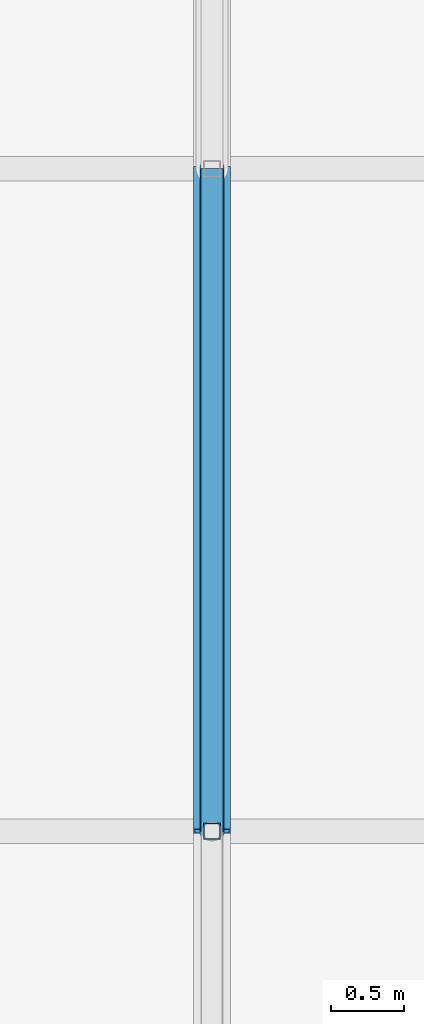
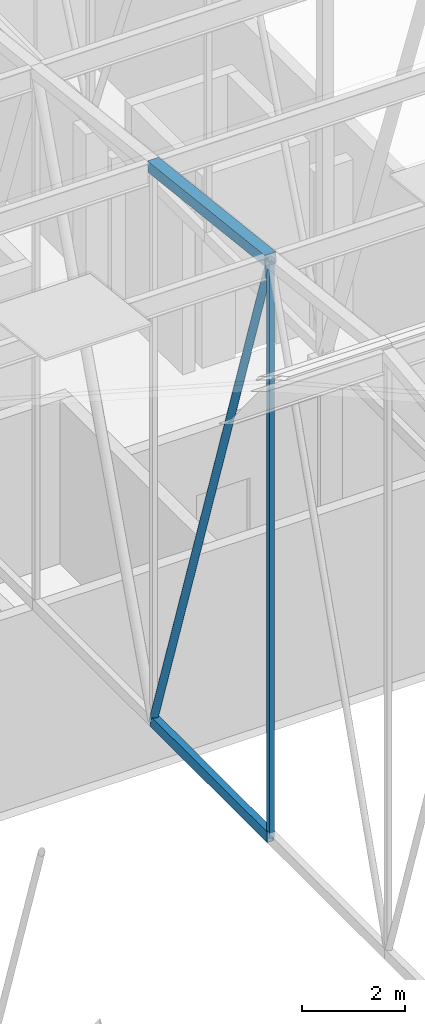
# One storey, part 194 of 500: 4 members.
"""IFC4 building model written with IfcOpenShell, lengths in metres."""

import ifcopenshell
import ifcopenshell.guid

model = None  # the IFC model being written
_history = None  # IfcOwnerHistory: only IFC2X3 demands one
_inside = {}  # id of a spatial element -> (the spatial element, [elements in it])
_under = {}  # id of a project, library or spatial element -> (it, [spatial elements below it])
_declared = {}  # id of a project -> (the project, [libraries it declares])
_typed = {}  # id of a type object -> (the type object, [elements of that type])
_made_of = {}  # id of a material, layer set ... -> (it, [elements and type objects made of it])


def new_model(schema):
    """Start an empty IFC model of exactly this schema.

    Asked for "IFC4X3", IfcOpenShell would pick the latest addendum, in which some entities
    have other attributes; the version numbers below select the first issue.
    IFC2X3 requires an IfcOwnerHistory on every rooted entity: one is made here for all.
    """
    global model, _history
    if schema == "IFC4X3":
        model = ifcopenshell.file(schema_version=(4, 3, 0, 0))
    else:
        model = ifcopenshell.file(schema=schema)
    _inside.clear()
    _under.clear()
    _declared.clear()
    _typed.clear()
    _made_of.clear()
    _history = None
    if model.schema == "IFC2X3":
        org = make("IfcOrganization", Name="unknown")
        user = make(
            "IfcPersonAndOrganization",
            ThePerson=make("IfcPerson", FamilyName="unknown"),
            TheOrganization=org,
        )
        app = make(
            "IfcApplication",
            ApplicationDeveloper=org,
            Version="unknown",
            ApplicationFullName="unknown",
            ApplicationIdentifier="unknown",
        )
        _history = make(
            "IfcOwnerHistory",
            OwningUser=user,
            OwningApplication=app,
            ChangeAction="ADDED",
            CreationDate=0,
        )
    return model


def make(cls, **values):
    """One entity of the class cls with the attributes given. An attribute that is None is left unset."""
    return model.create_entity(
        cls, **{name: value for name, value in values.items() if value is not None}
    )


def rooted(cls, **values):
    """An entity with a GlobalId (a new one), such as an element, a storey or a relation."""
    return make(cls, GlobalId=ifcopenshell.guid.new(), OwnerHistory=_history, **values)


def si_unit(unit_type, name, prefix=None):
    """IfcSIUnit, for example si_unit("LENGTHUNIT", "METRE", prefix="MILLI")."""
    return make("IfcSIUnit", UnitType=unit_type, Prefix=prefix, Name=name)


def assignment(units):
    """IfcUnitAssignment: the units of a project."""
    return None if units is None else make("IfcUnitAssignment", Units=units)


def point(xyz):
    """IfcCartesianPoint."""
    return None if xyz is None else make("IfcCartesianPoint", Coordinates=xyz)


def direction(xyz):
    """IfcDirection."""
    return None if xyz is None else make("IfcDirection", DirectionRatios=xyz)


def frame(location, z_axis=None, x_axis=None):
    """IfcAxis2Placement3D, a coordinate frame: its origin and axes. An axis left out is left unset."""
    return make(
        "IfcAxis2Placement3D",
        Location=point(location),
        Axis=direction(z_axis),
        RefDirection=direction(x_axis),
    )


def frame_2d(location, x_axis=None):
    """IfcAxis2Placement2D, a coordinate frame in the plane: its origin and x axis."""
    return make(
        "IfcAxis2Placement2D", Location=point(location), RefDirection=direction(x_axis)
    )


def origin():
    """The frame at (0, 0, 0) with its axes left unset."""
    return frame((0.0, 0.0, 0.0))


def origin_2d():
    """The frame at (0, 0) in the plane with its x axis left unset."""
    return frame_2d((0.0, 0.0))


def place(relative_to, where):
    """IfcLocalPlacement: puts the frame where relative to a parent placement (None: the world)."""
    return make(
        "IfcLocalPlacement", PlacementRelTo=relative_to, RelativePlacement=where
    )


def context(
    kind, dimensions, precision=None, world=None, true_north=None, identifier=None
):
    """IfcGeometricRepresentationContext, for example the 3D "Model" context."""
    return make(
        "IfcGeometricRepresentationContext",
        ContextIdentifier=identifier,
        ContextType=kind,
        CoordinateSpaceDimension=dimensions,
        Precision=precision,
        WorldCoordinateSystem=world,
        TrueNorth=true_north,
    )


def subcontext(parent, identifier, kind, view, scale=None):
    """IfcGeometricRepresentationSubContext, for example "Body" below "Model"."""
    return make(
        "IfcGeometricRepresentationSubContext",
        ContextIdentifier=identifier,
        ContextType=kind,
        ParentContext=parent,
        TargetScale=scale,
        TargetView=view,
    )


def project(units=None, contexts=None):
    """IfcProject with its units and contexts."""
    return rooted(
        "IfcProject",
        Name="project",
        RepresentationContexts=contexts,
        UnitsInContext=assignment(units),
    )


def spatial(cls, under=None, at=None, **own):
    """A site, building, storey or space (cls), placed at a placement, below another one or the project."""
    s = rooted(cls, ObjectPlacement=at, **own)
    if under is not None:
        _under.setdefault(under.id(), (under, []))[1].append(s)
    return s


def profile(cls, at=None, kind="AREA", **sizes):
    """A parametric profile (cls). Its sizes go by their IFC names, for example OverallWidth=200.0."""
    return make(cls, ProfileType=kind, Position=at, **sizes)


def hollow_rectangle(**sizes):
    """IfcRectangleHollowProfileDef."""
    return profile("IfcRectangleHollowProfileDef", **sizes)


def hollow_circle(**sizes):
    """IfcCircleHollowProfileDef."""
    return profile("IfcCircleHollowProfileDef", **sizes)


def extrude(swept, where, along, depth):
    """IfcExtrudedAreaSolid: the profile swept, set in the frame where, extruded along a direction by depth."""
    return make(
        "IfcExtrudedAreaSolid",
        SweptArea=swept,
        Position=where,
        ExtrudedDirection=direction(along),
        Depth=depth,
    )


def shape(context_of_items, identifier, shape_type, items):
    """IfcShapeRepresentation: the items that make up one representation, for example the "Body"."""
    return make(
        "IfcShapeRepresentation",
        ContextOfItems=context_of_items,
        RepresentationIdentifier=identifier,
        RepresentationType=shape_type,
        Items=items,
    )


def material(Name=None, Category=None):
    """IfcMaterial."""
    return make("IfcMaterial", Name=Name, Category=Category)


def material_profile(
    of_material, cross_section, Name=None, Category=None, Priority=None
):
    """IfcMaterialProfile: a cross section and its material."""
    return make(
        "IfcMaterialProfile",
        Name=Name,
        Material=of_material,
        Profile=cross_section,
        Priority=Priority,
        Category=Category,
    )


def profile_set(profiles, Name=None, composite=None):
    """IfcMaterialProfileSet."""
    return make(
        "IfcMaterialProfileSet",
        Name=Name,
        MaterialProfiles=profiles,
        CompositeProfile=composite,
    )


def made_of(thing, what):
    """Note that an element or type object is made of a material, layer set ...; save() writes the relation."""
    if what is not None:
        _made_of.setdefault(what.id(), (what, []))[1].append(thing)
    return thing


def type_object(cls, material=None, **own):
    """A type object (cls), such as IfcWallType, which elements share."""
    return made_of(rooted(cls, **own), material)


def element(
    cls,
    number,
    at=None,
    inside=None,
    cuts=None,
    type_object=None,
    material=None,
    context=None,
    identifier="Body",
    shape_type=None,
    held_by="IfcProductDefinitionShape",
    body=None,
    shapes=None,
    **own,
):
    """One element of the class cls, such as IfcWall. Its Tag is "e" and its number.

    at: its placement. inside: the storey or other place that contains it. cuts: it is an
    opening in that element (IfcRelVoidsElement). A single representation is given by context,
    identifier, shape_type and body (its items); several are given by shapes. held_by: the class
    of the entity that holds the representations. save() writes the other relations.
    """
    e = rooted(cls, Tag="e%d" % number, ObjectPlacement=at, **own)
    if body is not None:
        shapes = [shape(context, identifier, shape_type, body)]
    if shapes is not None:
        e.Representation = make(held_by, Representations=shapes)
    if inside is not None:
        _inside.setdefault(inside.id(), (inside, []))[1].append(e)
    if cuts is not None:
        rooted(
            "IfcRelVoidsElement", RelatingBuildingElement=cuts, RelatedOpeningElement=e
        )
    if type_object is not None:
        _typed.setdefault(type_object.id(), (type_object, []))[1].append(e)
    return made_of(e, material)


def aggregate(whole, parts):
    """IfcRelAggregates: a whole, such as a stair, and the parts it consists of."""
    return rooted("IfcRelAggregates", RelatingObject=whole, RelatedObjects=parts)


def save(model, path):
    """Write the relations noted so far, then the file.

    IfcRelAggregates (storeys below a building ...), IfcRelContainedInSpatialStructure (elements
    in a storey), IfcRelDefinesByType, IfcRelAssociatesMaterial and IfcRelDeclares: one each for
    every whole, place, type object, material and project.
    """
    for whole, parts in _under.values():
        aggregate(whole, parts)
    for where, things in _inside.values():
        rooted(
            "IfcRelContainedInSpatialStructure",
            RelatedElements=things,
            RelatingStructure=where,
        )
    for kind, things in _typed.values():
        rooted("IfcRelDefinesByType", RelatedObjects=things, RelatingType=kind)
    for what, things in _made_of.values():
        rooted("IfcRelAssociatesMaterial", RelatedObjects=things, RelatingMaterial=what)
    for by, libraries in _declared.values():
        rooted("IfcRelDeclares", RelatingContext=by, RelatedDefinitions=libraries)
    model.write(path)


model = new_model("IFC4")

# Units and contexts
model_context = context("Model", 3, precision=1e-05, world=origin(), true_north=direction((0.0, 1.0)))
body_context = subcontext(model_context, "Body", "Model", "MODEL_VIEW")
ifc_project = project(units=[si_unit("LENGTHUNIT", "METRE"), si_unit("AREAUNIT", "SQUARE_METRE"), si_unit("VOLUMEUNIT", "CUBIC_METRE"), si_unit("PLANEANGLEUNIT", "RADIAN"), si_unit("MASSUNIT", "GRAM", prefix="KILO")], contexts=[model_context])

# Site, building, storey
site_placement = place(None, origin())
site = spatial("IfcSite", under=ifc_project, at=site_placement, CompositionType="ELEMENT")
building_placement = place(site_placement, origin())
building = spatial("IfcBuilding", under=site, at=building_placement, Name="Shirokan Park Arena", CompositionType="ELEMENT")
storey_placement = place(building_placement, frame((0.0, 0.0, 29.1201171875)))
storey = spatial("IfcBuildingStorey", under=building, at=storey_placement, Name="L06", CompositionType="ELEMENT", Elevation=29.1201171875)

# Members
ifc_material = material(Name="Steel ASTM A500 Grade C", Category="steel")
ifc_material_profile_1 = material_profile(ifc_material, hollow_rectangle(XDim=0.152099609375, YDim=0.25390625, WallThickness=0.009521484375, at=origin_2d()), Name="HSS254X152.4X9.5")
ifc_profile_set_1 = profile_set([ifc_material_profile_1], Name="Steel ASTM A500 Grade C")
member_type_1 = type_object("IfcMemberType", Name="Bottom chord HSS254X152.4X9.5", PredefinedType="CHORD", material=ifc_profile_set_1)
member_1_placement = place(storey_placement, frame((27.300048828125, 59.14990234375, 4.677001953125), z_axis=(0.0, 1.0, 0.0), x_axis=(-1.0, 0.0, 0.0)))
element("IfcMember", 1, at=member_1_placement, inside=storey, type_object=member_type_1, Name="Truss T04 bottom chord 16", PredefinedType="CHORD", context=body_context, shape_type="SweptSolid", body=[
    extrude(hollow_rectangle(XDim=0.152099609375, YDim=0.25390625, WallThickness=0.009521484375, at=origin_2d()), origin(), (0.0, 0.0, 1.0), 4.550048828125),
])
ifc_material_profile_2 = material_profile(ifc_material, hollow_rectangle(XDim=0.25390625, YDim=0.25390625, WallThickness=0.009521484375, at=origin_2d()), Name="HSS254X254X9.5")
ifc_profile_set_2 = profile_set([ifc_material_profile_2], Name="Steel ASTM A500 Grade C")
member_type_2 = type_object("IfcMemberType", Name="Top chord HSS254X254X9.5", PredefinedType="CHORD", material=ifc_profile_set_2)
member_2_placement = place(storey_placement, frame((27.300048828125, 59.14990234375, 18.3427734375), z_axis=(0.0, 0.993538341779, -0.113496975353), x_axis=(-1.0, 0.0, 0.0)))
element("IfcMember", 2, at=member_2_placement, inside=storey, type_object=member_type_2, Name="Truss T04 top chord 16", PredefinedType="CHORD", context=body_context, shape_type="SweptSolid", body=[
    extrude(hollow_rectangle(XDim=0.25390625, YDim=0.25390625, WallThickness=0.009521484375, at=origin_2d()), origin(), (0.0, 0.0, 1.0), 4.57958984375),
])
ifc_material_profile_3 = material_profile(ifc_material, hollow_circle(Radius=0.083984375, WallThickness=0.009521484375, at=origin_2d()), Name="HSS168.3X9.5")
ifc_profile_set_3 = profile_set([ifc_material_profile_3], Name="Steel ASTM A500 Grade C")
member_type_3 = type_object("IfcMemberType", Name="Truss diagonal HSS168.3X9.5", PredefinedType="BRACE", material=ifc_profile_set_3)
member_3_placement = place(storey_placement, frame((27.300048828125, 59.14990234375, 18.3427734375), z_axis=(0.0, 0.315902302102, -0.948791723998), x_axis=(-1.0, 0.0, 0.0)))
element("IfcMember", 3, at=member_3_placement, inside=storey, type_object=member_type_3, Name="Truss T04 diagonal 16", PredefinedType="BRACE", context=body_context, shape_type="SweptSolid", body=[
    extrude(hollow_circle(Radius=0.083984375, WallThickness=0.009521484375, at=origin_2d()), origin(), (0.0, 0.0, 1.0), 14.4033203125),
])
ifc_material_profile_4 = material_profile(ifc_material, hollow_rectangle(XDim=0.114013671875, YDim=0.114013671875, WallThickness=0.00634765625, at=origin_2d()), Name="HSS114.3X114.3X6.4")
ifc_profile_set_4 = profile_set([ifc_material_profile_4], Name="Steel ASTM A500 Grade C")
member_type_4 = type_object("IfcMemberType", Name="Truss post HSS114.3X114.3X6.4", PredefinedType="POST", material=ifc_profile_set_4)
member_4_placement = place(storey_placement, frame((27.300048828125, 59.14990234375, 4.677001953125), z_axis=(0.0, 0.0, 1.0), x_axis=(1.0, 0.0, 0.0)))
element("IfcMember", 4, at=member_4_placement, inside=storey, type_object=member_type_4, Name="Truss T04 post 16", PredefinedType="POST", context=body_context, shape_type="SweptSolid", body=[
    extrude(hollow_rectangle(XDim=0.114013671875, YDim=0.114013671875, WallThickness=0.00634765625, at=origin_2d()), origin(), (0.0, 0.0, 1.0), 13.665771484375),
])

save(model, "model.ifc")
